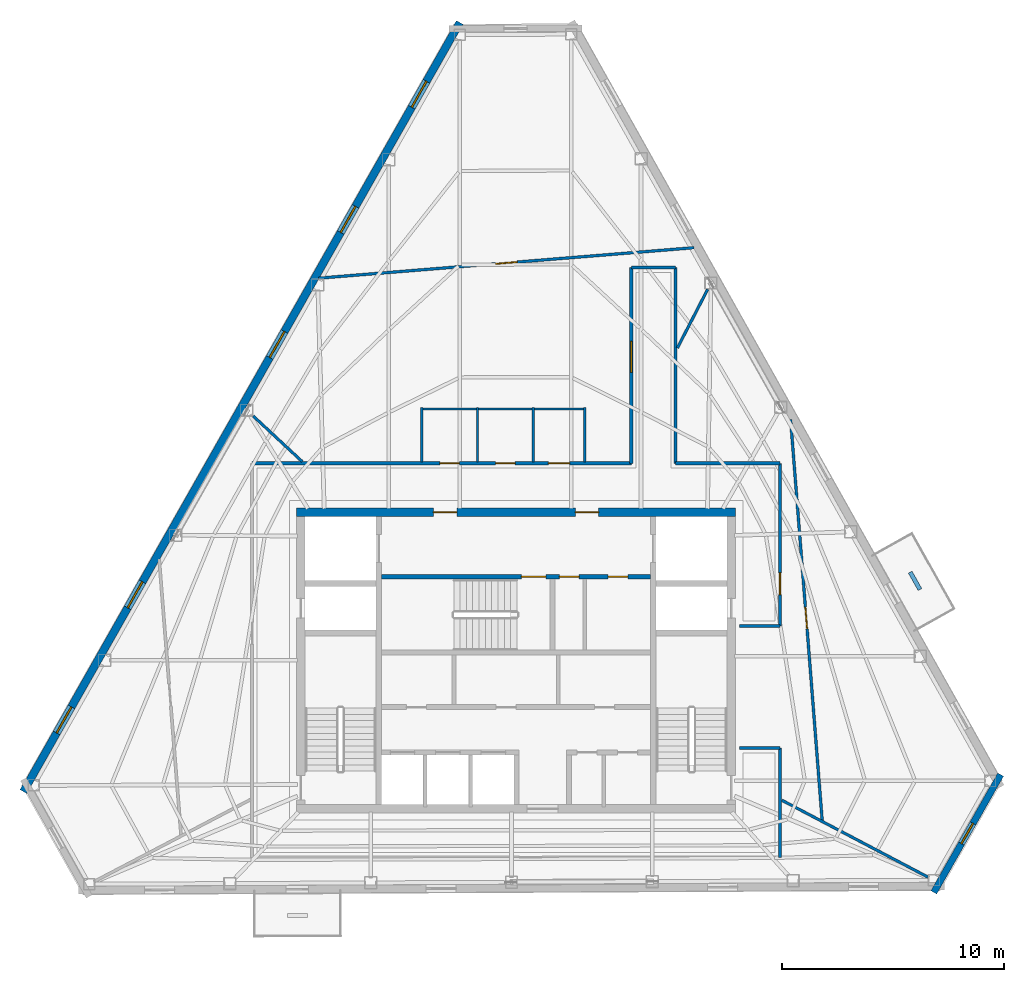
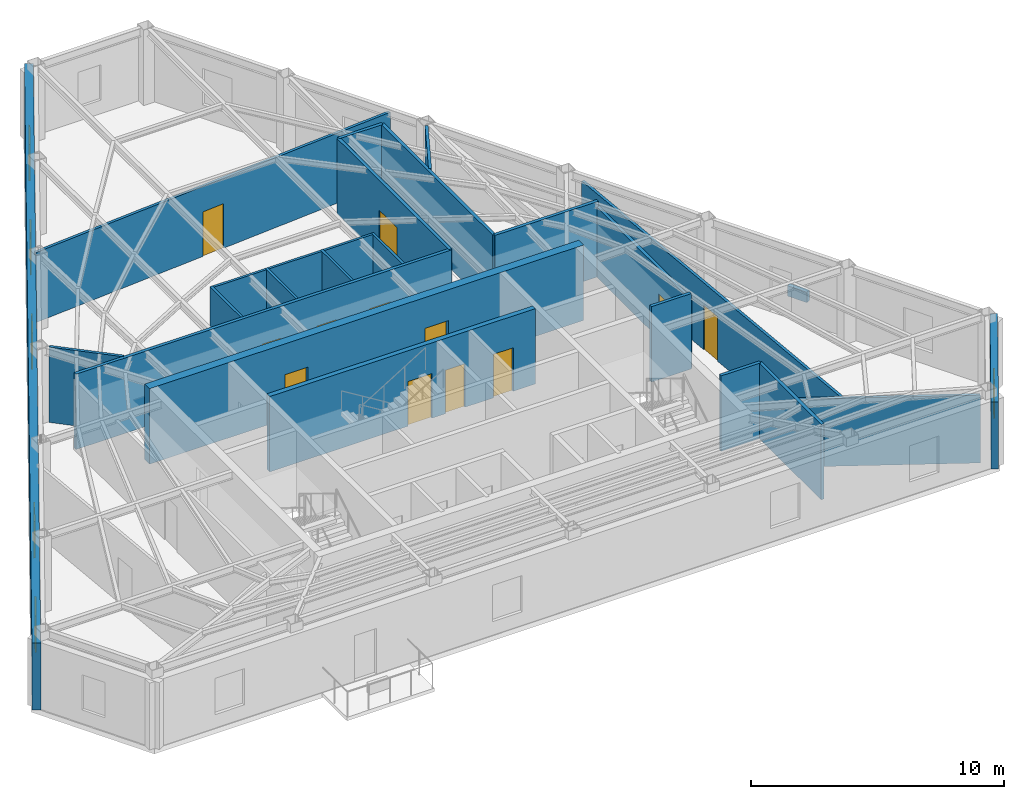
# One storey, part 6 of 9: 24 walls, 12 doors, 6 windows, 18 openings.
"""IFC4 building model written with IfcOpenShell, lengths in metres."""

from ifc_helpers import new_model, si_unit, direction, frame, frame_2d, origin, place, context, subcontext, project, spatial, rectangle, extrude, material, layer, layer_set, type_object, element, fill, save


model = new_model("IFC4")

# Units and contexts
model_context = context("Model", 3, precision=1e-05, world=origin(), true_north=direction((0.0, 1.0)))
body_context = subcontext(model_context, "Body", "Model", "MODEL_VIEW")
ifc_project = project(units=[si_unit("LENGTHUNIT", "METRE"), si_unit("AREAUNIT", "SQUARE_METRE"), si_unit("VOLUMEUNIT", "CUBIC_METRE"), si_unit("PLANEANGLEUNIT", "RADIAN"), si_unit("MASSUNIT", "GRAM", prefix="KILO")], contexts=[model_context])

# Site, building, storey
site_placement = place(None, origin())
site = spatial("IfcSite", under=ifc_project, at=site_placement, CompositionType="ELEMENT")
building_placement = place(site_placement, origin())
building = spatial("IfcBuilding", under=site, at=building_placement, Name="Kavelnor Concourse Tower", CompositionType="ELEMENT")
storey_placement = place(building_placement, frame((0.0, 0.0, 301.10009765625)))
storey = spatial("IfcBuildingStorey", under=building, at=storey_placement, Name="L76", CompositionType="ELEMENT", Elevation=301.10009765625)

# Wall, openings, doors
ifc_material_1 = material(Name="Concrete C50/60", Category="concrete")
ifc_layer_1 = layer(ifc_material_1, 0.3798828125, Name="Concrete C50/60")
ifc_layer_set_1 = layer_set([ifc_layer_1], Name="Concrete C50/60")
wall_type_1 = type_object("IfcWallType", Name="WL-CORE-Z4-380", PredefinedType="SOLIDWALL", material=ifc_layer_set_1)
wall_1_placement = place(storey_placement, frame((28.10009765625, 22.7900390625, 0.0), z_axis=(0.0, 0.0, 1.0), x_axis=(1.0, 0.0, 0.0)))
wall_1 = element("IfcWall", 1, at=wall_1_placement, inside=storey, type_object=wall_type_1, Name="L76 Central Core North Shear Wall", PredefinedType="SOLIDWALL", context=body_context, shape_type="SweptSolid", body=[
    extrude(rectangle(XDim=19.7998046875, YDim=0.3798828125, at=frame_2d((9.89990234375, 0.0))), origin(), (0.0, 0.0, 1.0), 3.635009765625),
])
opening_1_placement = place(wall_1_placement, frame((6.175048828125, 0.0, 0.0)))
opening_1 = element("IfcOpeningElement", 2, at=opening_1_placement, cuts=wall_1, Name="Opening FD-105", PredefinedType="OPENING", context=body_context, shape_type="SweptSolid", body=[
    extrude(rectangle(XDim=1.050048828125, YDim=2.14990234375, at=frame_2d((0.52490234375, 1.074951171875))), frame((0.0, 0.199951171875, 0.0), z_axis=(0.0, -1.0, 0.0), x_axis=(1.0, 0.0, 0.0)), (0.0, 0.0, 1.0), 0.39990234375),
])
opening_2_placement = place(wall_1_placement, frame((12.574951171875, 0.0, 0.0)))
opening_2 = element("IfcOpeningElement", 3, at=opening_2_placement, cuts=wall_1, Name="Opening FD-105", PredefinedType="OPENING", context=body_context, shape_type="SweptSolid", body=[
    extrude(rectangle(XDim=1.050048828125, YDim=2.14990234375, at=frame_2d((0.52490234375, 1.074951171875))), frame((0.0, 0.199951171875, 0.0), z_axis=(0.0, -1.0, 0.0), x_axis=(1.0, 0.0, 0.0)), (0.0, 0.0, 1.0), 0.39990234375),
])
ifc_material_2 = material(Name="Steel Grade 350", Category="steel")
door_type_1 = type_object("IfcDoorType", Name="DR-LOBBY-FIRE-1050", OperationType="NOTDEFINED", PredefinedType="DOOR", material=ifc_material_2)
door_1_placement = place(opening_1_placement, origin())
door_1 = element("IfcDoor", 4, at=door_1_placement, inside=storey, type_object=door_type_1, Name="L76 Emergency Lift Lobby West Door", OperationType="SINGLE_SWING_LEFT", OverallHeight=2.14990234375, OverallWidth=1.050048828125, PredefinedType="DOOR", context=body_context, shape_type="SweptSolid", body=[
    extrude(rectangle(XDim=1.050048828125, YDim=2.14990234375, at=frame_2d((0.52490234375, 1.074951171875))), frame((0.0, 0.02490234375, 0.0), z_axis=(0.0, -1.0, 0.0), x_axis=(1.0, 0.0, 0.0)), (0.0, 0.0, 1.0), 0.050048828125),
])
fill(opening_1, door_1)
door_2_placement = place(opening_2_placement, origin())
door_2 = element("IfcDoor", 5, at=door_2_placement, inside=storey, type_object=door_type_1, Name="L76 Emergency Lift Lobby East Door", OperationType="SINGLE_SWING_RIGHT", OverallHeight=2.14990234375, OverallWidth=1.050048828125, PredefinedType="DOOR", context=body_context, shape_type="SweptSolid", body=[
    extrude(rectangle(XDim=1.050048828125, YDim=2.14990234375, at=frame_2d((0.52490234375, 1.074951171875))), frame((0.0, 0.02490234375, 0.0), z_axis=(0.0, -1.0, 0.0), x_axis=(1.0, 0.0, 0.0)), (0.0, 0.0, 1.0), 0.050048828125),
])
fill(opening_2, door_2)

# Wall, opening, window
ifc_material_3 = material(Name="Buff ironspot clay face brick masonry", Category="masonry")
ifc_layer_2 = layer(ifc_material_3, 0.300048828125, Name="Buff ironspot clay face brick masonry")
ifc_layer_set_2 = layer_set([ifc_layer_2], Name="Buff ironspot clay face brick masonry")
wall_type_2 = type_object("IfcWallType", Name="WL-EXT-BUFF-BRICK-FOLD-300", PredefinedType="STANDARD", material=ifc_layer_set_2)
wall_2_placement = place(storey_placement, frame((59.864013671875, 10.9443359375, 0.0), z_axis=(0.0, 0.0, 1.0), x_axis=(-0.493576110352, -0.869702606234, 0.0)))
wall_2 = element("IfcWall", 6, at=wall_2_placement, inside=storey, type_object=wall_type_2, Name="L76 Exterior Brick Facade Wall E4", PredefinedType="STANDARD", context=body_context, shape_type="SweptSolid", body=[
    extrude(rectangle(XDim=6.109130859375, YDim=0.300048828125, at=frame_2d((3.0546875, 0.0))), origin(), (0.0, 0.0, 1.0), 3.220947265625),
])
opening_3_placement = place(wall_2_placement, frame((2.52978515625, 0.0, 0.64990234375)))
opening_3 = element("IfcOpeningElement", 7, at=opening_3_placement, cuts=wall_2, Name="Opening W-06", PredefinedType="OPENING", context=body_context, shape_type="SweptSolid", body=[
    extrude(rectangle(XDim=1.050048828125, YDim=1.699951171875, at=frame_2d((0.52490234375, 0.85009765625))), frame((0.0, 0.16015625, 0.0), z_axis=(0.0, -1.0, 0.0), x_axis=(1.0, 0.0, 0.0)), (0.0, 0.0, 1.0), 0.320068359375),
])
ifc_material_4 = material(Name="Double low-E argon insulated glazing", Category="glass")
window_type_1 = type_object("IfcWindowType", Name="WIN-FOLD-1050", PartitioningType="SINGLE_PANEL", PredefinedType="WINDOW", material=ifc_material_4)
window_1_placement = place(opening_3_placement, origin())
window_1 = element("IfcWindow", 8, at=window_1_placement, inside=storey, type_object=window_type_1, Name="L76 Chamfer-Fold Facet Window C2", OverallHeight=1.699951171875, OverallWidth=1.050048828125, PartitioningType="SINGLE_PANEL", PredefinedType="WINDOW", context=body_context, shape_type="SweptSolid", body=[
    extrude(rectangle(XDim=1.050048828125, YDim=1.699951171875, at=frame_2d((0.52490234375, 0.85009765625))), frame((0.0, 0.030029296875, 0.0), z_axis=(0.0, -1.0, 0.0), x_axis=(1.0, 0.0, 0.0)), (0.0, 0.0, 1.0), 0.06005859375),
])
fill(opening_3, window_1)

# Wall, openings, windows
ifc_material_5 = material(Name="Red-ochre clay face brick masonry", Category="masonry")
ifc_layer_3 = layer(ifc_material_5, 0.35009765625, Name="Red-ochre clay face brick masonry")
ifc_layer_set_3 = layer_set([ifc_layer_3], Name="Red-ochre clay face brick masonry")
wall_type_3 = type_object("IfcWallType", Name="WL-EXT-RED-BRICK-PIER-350", PredefinedType="STANDARD", material=ifc_layer_set_3)
wall_3_placement = place(storey_placement, frame((15.771240234375, 10.1787109375, 0.0), z_axis=(0.0, 0.0, 1.0), x_axis=(0.493569993775, 0.869706077503, 0.0)))
wall_3 = element("IfcWall", 9, at=wall_3_placement, inside=storey, type_object=wall_type_3, Name="L76 Exterior Brick Facade Wall E1", PredefinedType="STANDARD", context=body_context, shape_type="SweptSolid", body=[
    extrude(rectangle(XDim=39.8974609375, YDim=0.35009765625, at=frame_2d((19.94873046875, 0.0))), origin(), (0.0, 0.0, 1.0), 3.220947265625),
])
opening_4_placement = place(wall_3_placement, frame((35.498779296875, 0.0, 0.64990234375)))
opening_4 = element("IfcOpeningElement", 10, at=opening_4_placement, cuts=wall_3, Name="Opening W-04", PredefinedType="OPENING", context=body_context, shape_type="SweptSolid", body=[
    extrude(rectangle(XDim=1.35009765625, YDim=1.75, at=frame_2d((0.675048828125, 0.875))), frame((0.0, 0.18505859375, 0.0), z_axis=(0.0, -1.0, 0.0), x_axis=(1.0, 0.0, 0.0)), (0.0, 0.0, 1.0), 0.3701171875),
])
opening_5_placement = place(wall_3_placement, frame((29.00732421875, 0.0, 0.64990234375)))
opening_5 = element("IfcOpeningElement", 11, at=opening_5_placement, cuts=wall_3, Name="Opening W-04", PredefinedType="OPENING", context=body_context, shape_type="SweptSolid", body=[
    extrude(rectangle(XDim=1.35009765625, YDim=1.75, at=frame_2d((0.675048828125, 0.875))), frame((0.0, 0.18505859375, 0.0), z_axis=(0.0, -1.0, 0.0), x_axis=(1.0, 0.0, 0.0)), (0.0, 0.0, 1.0), 0.3701171875),
])
opening_6_placement = place(wall_3_placement, frame((22.515869140625, 0.0, 0.64990234375)))
opening_6 = element("IfcOpeningElement", 12, at=opening_6_placement, cuts=wall_3, Name="Opening W-04", PredefinedType="OPENING", context=body_context, shape_type="SweptSolid", body=[
    extrude(rectangle(XDim=1.35009765625, YDim=1.75, at=frame_2d((0.675048828125, 0.875))), frame((0.0, 0.18505859375, 0.0), z_axis=(0.0, -1.0, 0.0), x_axis=(1.0, 0.0, 0.0)), (0.0, 0.0, 1.0), 0.3701171875),
])
opening_7_placement = place(wall_3_placement, frame((9.532958984375, 0.0, 0.64990234375)))
opening_7 = element("IfcOpeningElement", 13, at=opening_7_placement, cuts=wall_3, Name="Opening W-04", PredefinedType="OPENING", context=body_context, shape_type="SweptSolid", body=[
    extrude(rectangle(XDim=1.35009765625, YDim=1.75, at=frame_2d((0.675048828125, 0.875))), frame((0.0, 0.18505859375, 0.0), z_axis=(0.0, -1.0, 0.0), x_axis=(1.0, 0.0, 0.0)), (0.0, 0.0, 1.0), 0.3701171875),
])
opening_8_placement = place(wall_3_placement, frame((3.041748046875, 0.0, 0.64990234375)))
opening_8 = element("IfcOpeningElement", 14, at=opening_8_placement, cuts=wall_3, Name="Opening W-04", PredefinedType="OPENING", context=body_context, shape_type="SweptSolid", body=[
    extrude(rectangle(XDim=1.35009765625, YDim=1.75, at=frame_2d((0.675048828125, 0.875))), frame((0.0, 0.18505859375, 0.0), z_axis=(0.0, -1.0, 0.0), x_axis=(1.0, 0.0, 0.0)), (0.0, 0.0, 1.0), 0.3701171875),
])
window_type_2 = type_object("IfcWindowType", Name="WIN-PIER-Z4-1350", PartitioningType="SINGLE_PANEL", PredefinedType="WINDOW", material=ifc_material_4)
window_2_placement = place(opening_4_placement, origin())
window_2 = element("IfcWindow", 15, at=window_2_placement, inside=storey, type_object=window_type_2, Name="L76 Deep-Set Brick Pier Window F0-B0", OverallHeight=1.75, OverallWidth=1.35009765625, PartitioningType="SINGLE_PANEL", PredefinedType="WINDOW", context=body_context, shape_type="SweptSolid", body=[
    extrude(rectangle(XDim=1.35009765625, YDim=1.75, at=frame_2d((0.675048828125, 0.875))), frame((0.0, 0.030029296875, 0.0), z_axis=(0.0, -1.0, 0.0), x_axis=(1.0, 0.0, 0.0)), (0.0, 0.0, 1.0), 0.06005859375),
])
fill(opening_4, window_2)
window_3_placement = place(opening_5_placement, origin())
window_3 = element("IfcWindow", 16, at=window_3_placement, inside=storey, type_object=window_type_2, Name="L76 Deep-Set Brick Pier Window F0-B1", OverallHeight=1.75, OverallWidth=1.35009765625, PartitioningType="SINGLE_PANEL", PredefinedType="WINDOW", context=body_context, shape_type="SweptSolid", body=[
    extrude(rectangle(XDim=1.35009765625, YDim=1.75, at=frame_2d((0.675048828125, 0.875))), frame((0.0, 0.030029296875, 0.0), z_axis=(0.0, -1.0, 0.0), x_axis=(1.0, 0.0, 0.0)), (0.0, 0.0, 1.0), 0.06005859375),
])
fill(opening_5, window_3)
window_4_placement = place(opening_6_placement, origin())
window_4 = element("IfcWindow", 17, at=window_4_placement, inside=storey, type_object=window_type_2, Name="L76 Deep-Set Brick Pier Window F0-B2", OverallHeight=1.75, OverallWidth=1.35009765625, PartitioningType="SINGLE_PANEL", PredefinedType="WINDOW", context=body_context, shape_type="SweptSolid", body=[
    extrude(rectangle(XDim=1.35009765625, YDim=1.75, at=frame_2d((0.675048828125, 0.875))), frame((0.0, 0.030029296875, 0.0), z_axis=(0.0, -1.0, 0.0), x_axis=(1.0, 0.0, 0.0)), (0.0, 0.0, 1.0), 0.06005859375),
])
fill(opening_6, window_4)
window_5_placement = place(opening_7_placement, origin())
window_5 = element("IfcWindow", 18, at=window_5_placement, inside=storey, type_object=window_type_2, Name="L76 Deep-Set Brick Pier Window F0-B4", OverallHeight=1.75, OverallWidth=1.35009765625, PartitioningType="SINGLE_PANEL", PredefinedType="WINDOW", context=body_context, shape_type="SweptSolid", body=[
    extrude(rectangle(XDim=1.35009765625, YDim=1.75, at=frame_2d((0.675048828125, 0.875))), frame((0.0, 0.030029296875, 0.0), z_axis=(0.0, -1.0, 0.0), x_axis=(1.0, 0.0, 0.0)), (0.0, 0.0, 1.0), 0.06005859375),
])
fill(opening_7, window_5)
window_6_placement = place(opening_8_placement, origin())
window_6 = element("IfcWindow", 19, at=window_6_placement, inside=storey, type_object=window_type_2, Name="L76 Deep-Set Brick Pier Window F0-B5", OverallHeight=1.75, OverallWidth=1.35009765625, PartitioningType="SINGLE_PANEL", PredefinedType="WINDOW", context=body_context, shape_type="SweptSolid", body=[
    extrude(rectangle(XDim=1.35009765625, YDim=1.75, at=frame_2d((0.675048828125, 0.875))), frame((0.0, 0.030029296875, 0.0), z_axis=(0.0, -1.0, 0.0), x_axis=(1.0, 0.0, 0.0)), (0.0, 0.0, 1.0), 0.06005859375),
])
fill(opening_8, window_6)

# Wall, opening, door
ifc_material_6 = material(Name="Gypsum plasterboard on light-gauge steel studs", Category="steel")
ifc_layer_4 = layer(ifc_material_6, 0.14501953125, Name="Gypsum plasterboard on light-gauge steel studs")
ifc_layer_set_4 = layer_set([ifc_layer_4], Name="Gypsum plasterboard on light-gauge steel studs")
wall_type_4 = type_object("IfcWallType", Name="WL-INT-CORR-145", PredefinedType="PARTITIONING", material=ifc_layer_set_4)
wall_4_placement = place(storey_placement, frame((43.199951171875, 24.989990234375, 0.0), z_axis=(0.0, 0.0, 1.0), x_axis=(0.0, 1.0, 0.0)))
wall_4 = element("IfcWall", 20, at=wall_4_placement, inside=storey, type_object=wall_type_4, Name="L76 Corridor Wall WL-L76-CR-01", PredefinedType="PARTITIONING", context=body_context, shape_type="SweptSolid", body=[
    extrude(rectangle(XDim=8.83642578125, YDim=0.14501953125, at=frame_2d((4.418212890625, 0.0))), origin(), (0.0, 0.0, 1.0), 3.635009765625),
])
opening_9_placement = place(wall_4_placement, frame((4.10546875, 0.0, 0.0)))
opening_9 = element("IfcOpeningElement", 21, at=opening_9_placement, cuts=wall_4, Name="Opening SD-140", PredefinedType="OPENING", context=body_context, shape_type="SweptSolid", body=[
    extrude(rectangle(XDim=1.39990234375, YDim=2.199951171875, at=frame_2d((0.699951171875, 1.10009765625))), frame((0.0, 0.08251953125, 0.0), z_axis=(0.0, -1.0, 0.0), x_axis=(1.0, 0.0, 0.0)), (0.0, 0.0, 1.0), 0.1650390625),
])
ifc_material_7 = material(Name="Solid-core hardwood timber", Category="wood")
door_type_2 = type_object("IfcDoorType", Name="DR-SUITE-ENTRY-1400", OperationType="NOTDEFINED", PredefinedType="DOOR", material=ifc_material_7)
door_3_placement = place(opening_9_placement, origin())
door_3 = element("IfcDoor", 22, at=door_3_placement, inside=storey, type_object=door_type_2, Name="L76 Technical Reference Library 03 Door", OperationType="SINGLE_SWING_RIGHT", OverallHeight=2.199951171875, OverallWidth=1.39990234375, PredefinedType="DOOR", context=body_context, shape_type="SweptSolid", body=[
    extrude(rectangle(XDim=1.39990234375, YDim=2.199951171875, at=frame_2d((0.699951171875, 1.10009765625))), frame((0.0, 0.02490234375, 0.0), z_axis=(0.0, -1.0, 0.0), x_axis=(1.0, 0.0, 0.0)), (0.0, 0.0, 1.0), 0.050048828125),
])
fill(opening_9, door_3)

# Walls
wall_5_placement = place(storey_placement, frame((43.199951171875, 33.826416015625, 0.0), z_axis=(0.0, 0.0, 1.0), x_axis=(1.0, 0.0, 0.0)))
element("IfcWall", 23, at=wall_5_placement, inside=storey, type_object=wall_type_4, Name="L76 Corridor Wall WL-L76-CR-02", PredefinedType="PARTITIONING", context=body_context, shape_type="SweptSolid", body=[
    extrude(rectangle(XDim=2.0, YDim=0.14501953125, at=frame_2d((1.0, 0.0))), origin(), (0.0, 0.0, 1.0), 3.635009765625),
])
wall_6_placement = place(storey_placement, frame((45.199951171875, 33.826416015625, 0.0), z_axis=(0.0, 0.0, 1.0), x_axis=(0.0, -1.0, 0.0)))
element("IfcWall", 24, at=wall_6_placement, inside=storey, type_object=wall_type_4, Name="L76 Corridor Wall WL-L76-CR-03", PredefinedType="PARTITIONING", context=body_context, shape_type="SweptSolid", body=[
    extrude(rectangle(XDim=8.83642578125, YDim=0.14501953125, at=frame_2d((4.418212890625, 0.0))), origin(), (0.0, 0.0, 1.0), 3.635009765625),
])
wall_7_placement = place(storey_placement, frame((45.199951171875, 24.989990234375, 0.0), z_axis=(0.0, 0.0, 1.0), x_axis=(1.0, 0.0, 0.0)))
element("IfcWall", 25, at=wall_7_placement, inside=storey, type_object=wall_type_4, Name="L76 Corridor Wall WL-L76-CR-04", PredefinedType="PARTITIONING", context=body_context, shape_type="SweptSolid", body=[
    extrude(rectangle(XDim=4.7099609375, YDim=0.14501953125, at=frame_2d((2.35498046875, 0.0))), origin(), (0.0, 0.0, 1.0), 3.635009765625),
])

# Wall, opening, door
wall_8_placement = place(storey_placement, frame((49.909912109375, 24.989990234375, 0.0), z_axis=(0.0, 0.0, 1.0), x_axis=(0.0, -1.0, 0.0)))
wall_8 = element("IfcWall", 26, at=wall_8_placement, inside=storey, type_object=wall_type_4, Name="L76 Corridor Wall WL-L76-CR-05", PredefinedType="PARTITIONING", context=body_context, shape_type="SweptSolid", body=[
    extrude(rectangle(XDim=7.340087890625, YDim=0.14501953125, at=frame_2d((3.669921875, 0.0))), origin(), (0.0, 0.0, 1.0), 3.3740234375),
])
opening_10_placement = place(wall_8_placement, frame((4.93994140625, 0.0, 0.0)))
opening_10 = element("IfcOpeningElement", 27, at=opening_10_placement, cuts=wall_8, Name="Opening OD-098", PredefinedType="OPENING", context=body_context, shape_type="SweptSolid", body=[
    extrude(rectangle(XDim=0.97998046875, YDim=2.14990234375, at=frame_2d((0.489990234375, 1.074951171875))), frame((0.0, 0.08251953125, 0.0), z_axis=(0.0, -1.0, 0.0), x_axis=(1.0, 0.0, 0.0)), (0.0, 0.0, 1.0), 0.1650390625),
])
door_type_3 = type_object("IfcDoorType", Name="DR-OFFICE-980", OperationType="NOTDEFINED", PredefinedType="DOOR", material=ifc_material_7)
door_4_placement = place(opening_10_placement, origin())
door_4 = element("IfcDoor", 28, at=door_4_placement, inside=storey, type_object=door_type_3, Name="L76 Building Staff Breakroom 01 Door", OperationType="SINGLE_SWING_RIGHT", OverallHeight=2.14990234375, OverallWidth=0.97998046875, PredefinedType="DOOR", context=body_context, shape_type="SweptSolid", body=[
    extrude(rectangle(XDim=0.97998046875, YDim=2.14990234375, at=frame_2d((0.489990234375, 1.074951171875))), frame((0.0, 0.02490234375, 0.0), z_axis=(0.0, -1.0, 0.0), x_axis=(1.0, 0.0, 0.0)), (0.0, 0.0, 1.0), 0.050048828125),
])
fill(opening_10, door_4)

# Walls
for number, where, z_axis, x_axis, name in (
    (29, (49.909912109375, 17.64990234375, 0.0), (0.0, 0.0, 1.0), (-1.0, 0.0, 0.0), "L76 Corridor Wall WL-L76-CR-06"),
    (30, (48.090087890625, 12.14990234375, 0.0), (0.0, 0.0, 1.0), (1.0, 0.0, 0.0), "L76 Corridor Wall WL-L76-CR-07"),
):
    element("IfcWall", number, at=place(storey_placement, frame(where, z_axis=z_axis, x_axis=x_axis)), inside=storey, type_object=wall_type_4, Name=name, PredefinedType="PARTITIONING", context=body_context, shape_type="SweptSolid", body=[
        extrude(rectangle(XDim=1.81982421875, YDim=0.14501953125, at=frame_2d((0.909912109375, 0.0))), origin(), (0.0, 0.0, 1.0), 3.635009765625),
    ])
wall_9_placement = place(storey_placement, frame((49.909912109375, 12.14990234375, 0.0), z_axis=(0.0, 0.0, 1.0), x_axis=(0.0, -1.0, 0.0)))
element("IfcWall", 31, at=wall_9_placement, inside=storey, type_object=wall_type_4, Name="L76 Corridor Wall WL-L76-CR-08", PredefinedType="PARTITIONING", context=body_context, shape_type="SweptSolid", body=[
    extrude(rectangle(XDim=4.93994140625, YDim=0.14501953125, at=frame_2d((2.469970703125, 0.0))), origin(), (0.0, 0.0, 1.0), 3.635009765625),
])

# Wall, openings, doors
wall_10_placement = place(storey_placement, frame((26.090087890625, 24.989990234375, 0.0), z_axis=(0.0, 0.0, 1.0), x_axis=(1.0, 0.0, 0.0)))
wall_10 = element("IfcWall", 32, at=wall_10_placement, inside=storey, type_object=wall_type_4, Name="L76 Corridor Wall WL-L76-CR-11", PredefinedType="PARTITIONING", context=body_context, shape_type="SweptSolid", body=[
    extrude(rectangle(XDim=17.10986328125, YDim=0.14501953125, at=frame_2d((8.554931640625, 0.0))), origin(), (0.0, 0.0, 1.0), 3.635009765625),
])
opening_11_placement = place(wall_10_placement, frame((8.469970703125, 0.0, 0.0)))
opening_11 = element("IfcOpeningElement", 33, at=opening_11_placement, cuts=wall_10, Name="Opening WD-088", PredefinedType="OPENING", context=body_context, shape_type="SweptSolid", body=[
    extrude(rectangle(XDim=0.8798828125, YDim=2.10009765625, at=frame_2d((0.43994140625, 1.050048828125))), frame((0.0, 0.08251953125, 0.0), z_axis=(0.0, -1.0, 0.0), x_axis=(1.0, 0.0, 0.0)), (0.0, 0.0, 1.0), 0.1650390625),
])
opening_12_placement = place(wall_10_placement, frame((10.989990234375, 0.0, 0.0)))
opening_12 = element("IfcOpeningElement", 34, at=opening_12_placement, cuts=wall_10, Name="Opening WD-088", PredefinedType="OPENING", context=body_context, shape_type="SweptSolid", body=[
    extrude(rectangle(XDim=0.8798828125, YDim=2.10009765625, at=frame_2d((0.43994140625, 1.050048828125))), frame((0.0, 0.08251953125, 0.0), z_axis=(0.0, -1.0, 0.0), x_axis=(1.0, 0.0, 0.0)), (0.0, 0.0, 1.0), 0.1650390625),
])
opening_13_placement = place(wall_10_placement, frame((13.3701171875, 0.0, 0.0)))
opening_13 = element("IfcOpeningElement", 35, at=opening_13_placement, cuts=wall_10, Name="Opening WD-096", PredefinedType="OPENING", context=body_context, shape_type="SweptSolid", body=[
    extrude(rectangle(XDim=0.9599609375, YDim=2.10009765625, at=frame_2d((0.47998046875, 1.050048828125))), frame((0.0, 0.08251953125, 0.0), z_axis=(0.0, -1.0, 0.0), x_axis=(1.0, 0.0, 0.0)), (0.0, 0.0, 1.0), 0.1650390625),
])
door_type_4 = type_object("IfcDoorType", Name="DR-WC-ACC-960", OperationType="NOTDEFINED", PredefinedType="DOOR", material=ifc_material_7)
door_5_placement = place(opening_13_placement, origin())
door_5 = element("IfcDoor", 36, at=door_5_placement, inside=storey, type_object=door_type_4, Name="L76 Accessible WC Door", OperationType="SINGLE_SWING_RIGHT", OverallHeight=2.10009765625, OverallWidth=0.9599609375, PredefinedType="DOOR", context=body_context, shape_type="SweptSolid", body=[
    extrude(rectangle(XDim=0.9599609375, YDim=2.10009765625, at=frame_2d((0.47998046875, 1.050048828125))), frame((0.0, 0.02490234375, 0.0), z_axis=(0.0, -1.0, 0.0), x_axis=(1.0, 0.0, 0.0)), (0.0, 0.0, 1.0), 0.050048828125),
])
fill(opening_13, door_5)
door_type_5 = type_object("IfcDoorType", Name="DR-WC-STD-880", OperationType="NOTDEFINED", PredefinedType="DOOR", material=ifc_material_7)
door_6_placement = place(opening_11_placement, origin())
door_6 = element("IfcDoor", 37, at=door_6_placement, inside=storey, type_object=door_type_5, Name="L76 Male WC Door", OperationType="SINGLE_SWING_RIGHT", OverallHeight=2.10009765625, OverallWidth=0.8798828125, PredefinedType="DOOR", context=body_context, shape_type="SweptSolid", body=[
    extrude(rectangle(XDim=0.8798828125, YDim=2.10009765625, at=frame_2d((0.43994140625, 1.050048828125))), frame((0.0, 0.02490234375, 0.0), z_axis=(0.0, -1.0, 0.0), x_axis=(1.0, 0.0, 0.0)), (0.0, 0.0, 1.0), 0.050048828125),
])
fill(opening_11, door_6)
door_7_placement = place(opening_12_placement, origin())
door_7 = element("IfcDoor", 38, at=door_7_placement, inside=storey, type_object=door_type_5, Name="L76 Female WC Door", OperationType="SINGLE_SWING_LEFT", OverallHeight=2.10009765625, OverallWidth=0.8798828125, PredefinedType="DOOR", context=body_context, shape_type="SweptSolid", body=[
    extrude(rectangle(XDim=0.8798828125, YDim=2.10009765625, at=frame_2d((0.43994140625, 1.050048828125))), frame((0.0, 0.02490234375, 0.0), z_axis=(0.0, -1.0, 0.0), x_axis=(1.0, 0.0, 0.0)), (0.0, 0.0, 1.0), 0.050048828125),
])
fill(opening_12, door_7)

# Walls
ifc_layer_5 = layer(ifc_material_6, 0.125, Name="Gypsum plasterboard on light-gauge steel studs")
ifc_layer_set_5 = layer_set([ifc_layer_5], Name="Gypsum plasterboard on light-gauge steel studs")
wall_type_5 = type_object("IfcWallType", Name="WL-INT-SUITE-125", PredefinedType="PARTITIONING", material=ifc_layer_set_5)
wall_11_placement = place(storey_placement, frame((45.280517578125, 30.195556640625, 0.0), z_axis=(0.0, 0.0, 1.0), x_axis=(0.458904431831, 0.88848563435, 0.0)))
element("IfcWall", 39, at=wall_11_placement, inside=storey, type_object=wall_type_5, Name="L76 Radial Suite Partition 01", PredefinedType="PARTITIONING", context=body_context, shape_type="SweptSolid", body=[
    extrude(rectangle(XDim=2.972412109375, YDim=0.125, at=frame_2d((1.486328125, 0.0))), origin(), (0.0, 0.0, 1.0), 3.635009765625),
])
wall_12_placement = place(storey_placement, frame((28.347900390625, 25.070556640625, 0.0), z_axis=(0.0, 0.0, 1.0), x_axis=(-0.732493615347, 0.680773900407, 0.0)))
element("IfcWall", 40, at=wall_12_placement, inside=storey, type_object=wall_type_5, Name="L76 Radial Suite Partition 02", PredefinedType="PARTITIONING", context=body_context, shape_type="SweptSolid", body=[
    extrude(rectangle(XDim=3.016357421875, YDim=0.125, at=frame_2d((1.50830078125, 0.0))), origin(), (0.0, 0.0, 1.0), 3.635009765625),
])
wall_13_placement = place(storey_placement, frame((49.990478515625, 9.789794921875, 0.0), z_axis=(0.0, 0.0, 1.0), x_axis=(0.884938130068, -0.465708606267, 0.0)))
element("IfcWall", 41, at=wall_13_placement, inside=storey, type_object=wall_type_5, Name="L76 Radial Suite Partition 04", PredefinedType="PARTITIONING", context=body_context, shape_type="SweptSolid", body=[
    extrude(rectangle(XDim=7.4482421875, YDim=0.125, at=frame_2d((3.72412109375, 0.0))), origin(), (0.0, 0.0, 1.0), 3.27099609375),
])

# Wall, opening, door
wall_14_placement = place(storey_placement, frame((51.814208984375, 8.84716796875, 0.0), z_axis=(0.0, 0.0, 1.0), x_axis=(-0.078479740874, 0.99691570871, 0.0)))
wall_14 = element("IfcWall", 42, at=wall_14_placement, inside=storey, type_object=wall_type_5, Name="L76 Suite Subdivision Partition 01", PredefinedType="PARTITIONING", context=body_context, shape_type="SweptSolid", body=[
    extrude(rectangle(XDim=18.173828125, YDim=0.125, at=frame_2d((9.0869140625, 0.0))), origin(), (0.0, 0.0, 1.0), 3.223876953125),
])
opening_14_placement = place(wall_14_placement, frame((8.697509765625, 0.0, 0.0)))
opening_14 = element("IfcOpeningElement", 43, at=opening_14_placement, cuts=wall_14, Name="Opening OD-098", PredefinedType="OPENING", context=body_context, shape_type="SweptSolid", body=[
    extrude(rectangle(XDim=0.97998046875, YDim=2.14990234375, at=frame_2d((0.489990234375, 1.074951171875))), frame((0.0, 0.072509765625, 0.0), z_axis=(0.0, -1.0, 0.0), x_axis=(1.0, 0.0, 0.0)), (0.0, 0.0, 1.0), 0.14501953125),
])
door_8_placement = place(opening_14_placement, origin())
door_8 = element("IfcDoor", 44, at=door_8_placement, inside=storey, type_object=door_type_3, Name="L76 Workplace Open Office 02 Door", OperationType="SINGLE_SWING_LEFT", OverallHeight=2.14990234375, OverallWidth=0.97998046875, PredefinedType="DOOR", context=body_context, shape_type="SweptSolid", body=[
    extrude(rectangle(XDim=0.97998046875, YDim=2.14990234375, at=frame_2d((0.489990234375, 1.074951171875))), frame((0.0, 0.02490234375, 0.0), z_axis=(0.0, -1.0, 0.0), x_axis=(1.0, 0.0, 0.0)), (0.0, 0.0, 1.0), 0.050048828125),
])
fill(opening_14, door_8)

wall_15_placement = place(storey_placement, frame((46.0361328125, 34.71875, 0.0), z_axis=(0.0, 0.0, 1.0), x_axis=(-0.996715116999, -0.080987502409, 0.0)))
wall_15 = element("IfcWall", 45, at=wall_15_placement, inside=storey, type_object=wall_type_5, Name="L76 Suite Subdivision Partition 02", PredefinedType="PARTITIONING", context=body_context, shape_type="SweptSolid", body=[
    extrude(rectangle(XDim=16.99609375, YDim=0.125, at=frame_2d((8.498046875, 0.0))), origin(), (0.0, 0.0, 1.0), 3.3740234375),
])
opening_15_placement = place(wall_15_placement, frame((8.008056640625, 0.0, 0.0)))
opening_15 = element("IfcOpeningElement", 46, at=opening_15_placement, cuts=wall_15, Name="Opening OD-098", PredefinedType="OPENING", context=body_context, shape_type="SweptSolid", body=[
    extrude(rectangle(XDim=0.97998046875, YDim=2.14990234375, at=frame_2d((0.489990234375, 1.074951171875))), frame((0.0, 0.072509765625, 0.0), z_axis=(0.0, -1.0, 0.0), x_axis=(1.0, 0.0, 0.0)), (0.0, 0.0, 1.0), 0.14501953125),
])
door_9_placement = place(opening_15_placement, origin())
door_9 = element("IfcDoor", 47, at=door_9_placement, inside=storey, type_object=door_type_3, Name="L76 Building Staff Breakroom 04 Door", OperationType="SINGLE_SWING_LEFT", OverallHeight=2.14990234375, OverallWidth=0.97998046875, PredefinedType="DOOR", context=body_context, shape_type="SweptSolid", body=[
    extrude(rectangle(XDim=0.97998046875, YDim=2.14990234375, at=frame_2d((0.489990234375, 1.074951171875))), frame((0.0, 0.02490234375, 0.0), z_axis=(0.0, -1.0, 0.0), x_axis=(1.0, 0.0, 0.0)), (0.0, 0.0, 1.0), 0.050048828125),
])
fill(opening_15, door_9)

# Walls
ifc_layer_6 = layer(ifc_material_6, 0.110107421875, Name="Gypsum plasterboard on light-gauge steel studs")
ifc_layer_set_6 = layer_set([ifc_layer_6], Name="Gypsum plasterboard on light-gauge steel studs")
wall_type_6 = type_object("IfcWallType", Name="WL-INT-WC-110", PredefinedType="PLUMBINGWALL", material=ifc_layer_set_6)
for number, where, z_axis, x_axis, name in (
    (48, (33.739990234375, 25.06005859375, 0.0), (0.0, 0.0, 1.0), (0.0, 1.0, 0.0), "L76 Sanitary Partition WL-L76-WC-W"),
    (49, (36.260009765625, 25.06005859375, 0.0), (0.0, 0.0, 1.0), (0.0, 1.0, 0.0), "L76 Sanitary Partition WL-L76-WC-D1"),
    (50, (38.780029296875, 25.06005859375, 0.0), (0.0, 0.0, 1.0), (0.0, 1.0, 0.0), "L76 Sanitary Partition WL-L76-WC-D2"),
    (51, (41.10009765625, 25.06005859375, 0.0), (0.0, 0.0, 1.0), (0.0, 1.0, 0.0), "L76 Sanitary Partition WL-L76-WC-E"),
):
    element("IfcWall", number, at=place(storey_placement, frame(where, z_axis=z_axis, x_axis=x_axis)), inside=storey, type_object=wall_type_6, Name=name, PredefinedType="PLUMBINGWALL", context=body_context, shape_type="SweptSolid", body=[
        extrude(rectangle(XDim=2.43994140625, YDim=0.110107421875, at=frame_2d((1.219970703125, 0.0))), origin(), (0.0, 0.0, 1.0), 3.635009765625),
    ])
wall_16_placement = place(storey_placement, frame((33.68994140625, 27.43994140625, 0.0), z_axis=(0.0, 0.0, 1.0), x_axis=(1.0, 0.0, 0.0)))
element("IfcWall", 52, at=wall_16_placement, inside=storey, type_object=wall_type_6, Name="L76 Sanitary Partition WL-L76-WC-N", PredefinedType="PLUMBINGWALL", context=body_context, shape_type="SweptSolid", body=[
    extrude(rectangle(XDim=7.4599609375, YDim=0.110107421875, at=frame_2d((3.72998046875, 0.0))), origin(), (0.0, 0.0, 1.0), 3.635009765625),
])
ifc_material_8 = material(Name="Architectural precast planter concrete C40/50", Category="concrete")
ifc_layer_7 = layer(ifc_material_8, 0.18994140625, Name="Architectural precast planter concrete C40/50")
ifc_layer_set_7 = layer_set([ifc_layer_7], Name="Architectural precast planter concrete C40/50")
wall_type_7 = type_object("IfcWallType", Name="WL-PLANTER-KERB-190", PredefinedType="USERDEFINED", material=ifc_layer_set_7)
wall_17_placement = place(storey_placement, frame((56.224365234375, 19.29345703125, 0.0), z_axis=(0.0, 0.0, 1.0), x_axis=(-0.489462368995, 0.87202442015, 0.0)))
element("IfcWall", 53, at=wall_17_placement, inside=storey, type_object=wall_type_7, Name="L76 Tree Balcony 2 Tree Planter Kerb", ObjectType="PLANTER", PredefinedType="USERDEFINED", context=body_context, shape_type="SweptSolid", body=[
    extrude(rectangle(XDim=0.89990234375, YDim=0.18994140625, at=frame_2d((0.449951171875, 0.0))), origin(), (0.0, 0.0, 1.0), 0.5),
])

# Wall, openings, doors
ifc_layer_8 = layer(ifc_material_1, 0.219970703125, Name="Concrete C50/60")
ifc_layer_set_8 = layer_set([ifc_layer_8], Name="Concrete C50/60")
wall_type_8 = type_object("IfcWallType", Name="WL-SHAFT-220", PredefinedType="SOLIDWALL", material=ifc_layer_set_8)
wall_18_placement = place(storey_placement, frame((31.93994140625, 19.8701171875, 0.0), z_axis=(0.0, 0.0, 1.0), x_axis=(1.0, 0.0, 0.0)))
wall_18 = element("IfcWall", 54, at=wall_18_placement, inside=storey, type_object=wall_type_8, Name="L76 Emergency Lift Lobby South Wall", PredefinedType="SOLIDWALL", context=body_context, shape_type="SweptSolid", body=[
    extrude(rectangle(XDim=12.1201171875, YDim=0.219970703125, at=frame_2d((6.06005859375, 0.0))), origin(), (0.0, 0.0, 1.0), 3.635009765625),
])
opening_16_placement = place(wall_18_placement, frame((6.300048828125, 0.0, 0.0)))
opening_16 = element("IfcOpeningElement", 55, at=opening_16_placement, cuts=wall_18, Name="Opening FD-110", PredefinedType="OPENING", context=body_context, shape_type="SweptSolid", body=[
    extrude(rectangle(XDim=1.10009765625, YDim=2.14990234375, at=frame_2d((0.550048828125, 1.074951171875))), frame((0.0, 0.1201171875, 0.0), z_axis=(0.0, -1.0, 0.0), x_axis=(1.0, 0.0, 0.0)), (0.0, 0.0, 1.0), 0.239990234375),
])
opening_17_placement = place(wall_18_placement, frame((8.010009765625, 0.0, 0.0)))
opening_17 = element("IfcOpeningElement", 56, at=opening_17_placement, cuts=wall_18, Name="Opening FD-090", PredefinedType="OPENING", context=body_context, shape_type="SweptSolid", body=[
    extrude(rectangle(XDim=0.89990234375, YDim=2.10009765625, at=frame_2d((0.449951171875, 1.050048828125))), frame((0.0, 0.1201171875, 0.0), z_axis=(0.0, -1.0, 0.0), x_axis=(1.0, 0.0, 0.0)), (0.0, 0.0, 1.0), 0.239990234375),
])
opening_18_placement = place(wall_18_placement, frame((10.2099609375, 0.0, 0.0)))
opening_18 = element("IfcOpeningElement", 57, at=opening_18_placement, cuts=wall_18, Name="Opening FD-090", PredefinedType="OPENING", context=body_context, shape_type="SweptSolid", body=[
    extrude(rectangle(XDim=0.89990234375, YDim=2.10009765625, at=frame_2d((0.449951171875, 1.050048828125))), frame((0.0, 0.1201171875, 0.0), z_axis=(0.0, -1.0, 0.0), x_axis=(1.0, 0.0, 0.0)), (0.0, 0.0, 1.0), 0.239990234375),
])
door_type_6 = type_object("IfcDoorType", Name="DR-RISER-FIRE-900", OperationType="NOTDEFINED", PredefinedType="DOOR", material=ifc_material_2)
door_10_placement = place(opening_17_placement, origin())
door_10 = element("IfcDoor", 58, at=door_10_placement, inside=storey, type_object=door_type_6, Name="L76 Cleaner Door", OperationType="SINGLE_SWING_RIGHT", OverallHeight=2.10009765625, OverallWidth=0.89990234375, PredefinedType="DOOR", context=body_context, shape_type="SweptSolid", body=[
    extrude(rectangle(XDim=0.89990234375, YDim=2.10009765625, at=frame_2d((0.449951171875, 1.050048828125))), frame((0.0, 0.02490234375, 0.0), z_axis=(0.0, -1.0, 0.0), x_axis=(1.0, 0.0, 0.0)), (0.0, 0.0, 1.0), 0.050048828125),
])
fill(opening_17, door_10)
door_11_placement = place(opening_18_placement, origin())
door_11 = element("IfcDoor", 59, at=door_11_placement, inside=storey, type_object=door_type_6, Name="L76 UPS Room Door", OperationType="SINGLE_SWING_LEFT", OverallHeight=2.10009765625, OverallWidth=0.89990234375, PredefinedType="DOOR", context=body_context, shape_type="SweptSolid", body=[
    extrude(rectangle(XDim=0.89990234375, YDim=2.10009765625, at=frame_2d((0.449951171875, 1.050048828125))), frame((0.0, 0.02490234375, 0.0), z_axis=(0.0, -1.0, 0.0), x_axis=(1.0, 0.0, 0.0)), (0.0, 0.0, 1.0), 0.050048828125),
])
fill(opening_18, door_11)
door_type_7 = type_object("IfcDoorType", Name="DR-STAIR-FIRE-1100", OperationType="NOTDEFINED", PredefinedType="DOOR", material=ifc_material_2)
door_12_placement = place(opening_16_placement, origin())
door_12 = element("IfcDoor", 60, at=door_12_placement, inside=storey, type_object=door_type_7, Name="L76 Stair ST3 Fire Door", OperationType="SINGLE_SWING_LEFT", OverallHeight=2.14990234375, OverallWidth=1.10009765625, PredefinedType="DOOR", context=body_context, shape_type="SweptSolid", body=[
    extrude(rectangle(XDim=1.10009765625, YDim=2.14990234375, at=frame_2d((0.550048828125, 1.074951171875))), frame((0.0, 0.02490234375, 0.0), z_axis=(0.0, -1.0, 0.0), x_axis=(1.0, 0.0, 0.0)), (0.0, 0.0, 1.0), 0.050048828125),
])
fill(opening_16, door_12)

save(model, "model.ifc")
